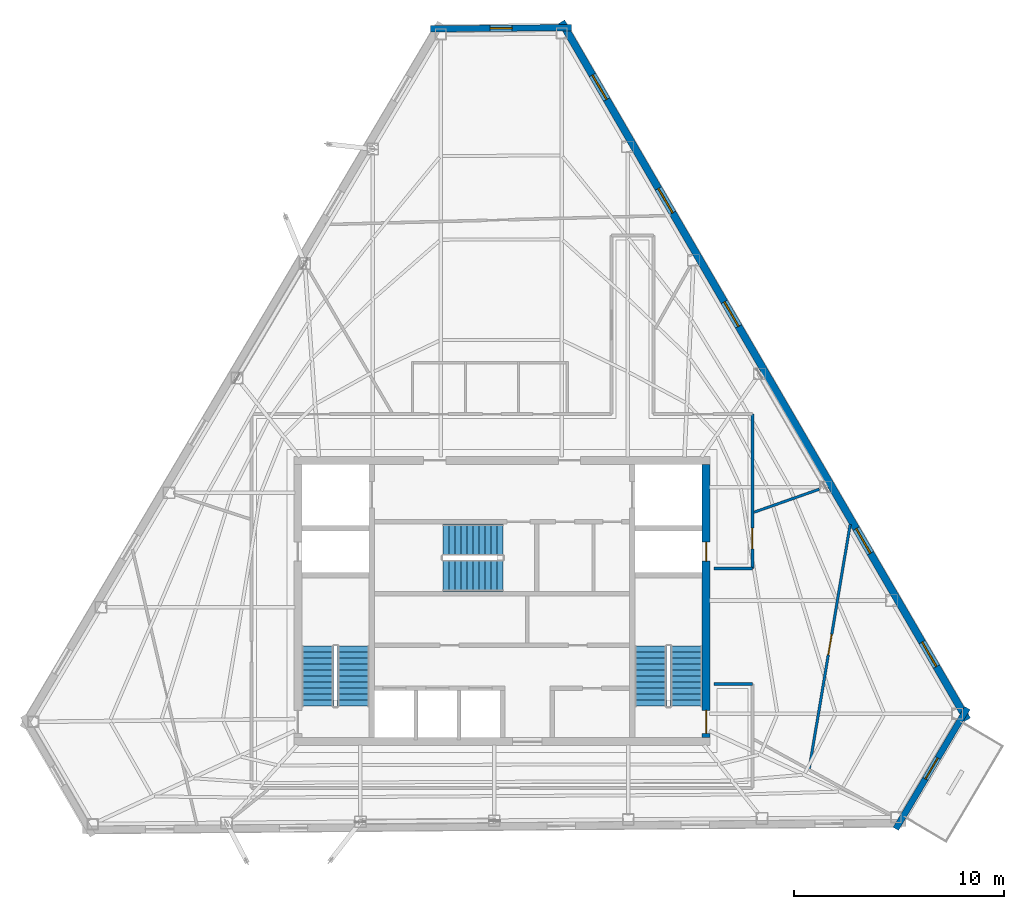
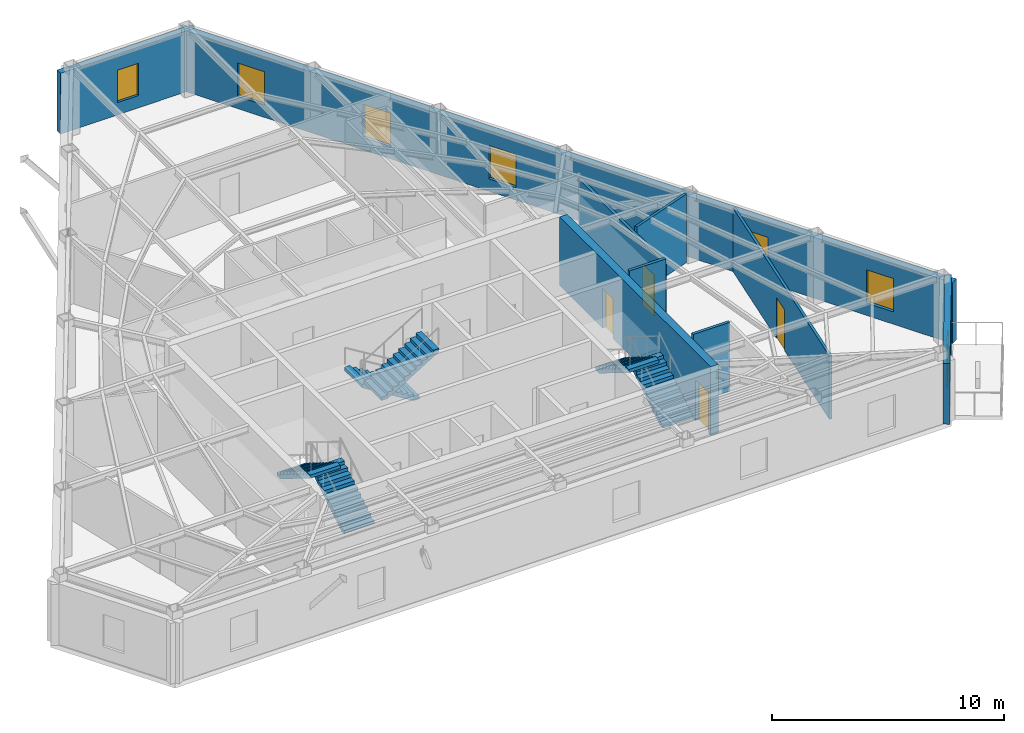
# One storey, part 8 of 10: 9 walls, 6 stair flights, 6 windows, 5 doors, 11 openings, 3 elements without a shape of their own.
"""IFC4 building model written with IfcOpenShell, lengths in metres."""

from ifc_helpers import new_model, si_unit, direction, frame, frame_2d, origin, place, context, subcontext, project, spatial, polyline, rectangle, outline, extrude, material, layer, layer_set, type_object, element, fill, aggregate, save


model = new_model("IFC4")

# Units and contexts
model_context = context("Model", 3, precision=1e-05, world=origin(), true_north=direction((0.0, 1.0)))
body_context = subcontext(model_context, "Body", "Model", "MODEL_VIEW")
ifc_project = project(units=[si_unit("LENGTHUNIT", "METRE"), si_unit("AREAUNIT", "SQUARE_METRE"), si_unit("VOLUMEUNIT", "CUBIC_METRE"), si_unit("PLANEANGLEUNIT", "RADIAN"), si_unit("MASSUNIT", "GRAM", prefix="KILO")], contexts=[model_context])

# Site, building, storey
site_placement = place(None, origin())
site = spatial("IfcSite", under=ifc_project, at=site_placement, CompositionType="ELEMENT")
building_placement = place(site_placement, origin())
building = spatial("IfcBuilding", under=site, at=building_placement, Name="Kavelnor Concourse Tower", CompositionType="ELEMENT")
storey_placement = place(building_placement, frame((0.0, 0.0, 281.85009765625)))
storey = spatial("IfcBuildingStorey", under=building, at=storey_placement, Name="L71", CompositionType="ELEMENT", Elevation=281.85009765625)

# Wall, openings, doors
ifc_material_1 = material(Name="Concrete C50/60", Category="concrete")
ifc_layer_1 = layer(ifc_material_1, 0.3798828125, Name="Concrete C50/60")
ifc_layer_set_1 = layer_set([ifc_layer_1], Name="Concrete C50/60")
wall_type_1 = type_object("IfcWallType", Name="WL-CORE-Z4-380", PredefinedType="SOLIDWALL", material=ifc_layer_set_1)
wall_1_placement = place(storey_placement, frame((47.7099609375, 9.60009765625, 0.0), z_axis=(0.0, 0.0, 1.0), x_axis=(0.0, 1.0, 0.0)))
wall_1 = element("IfcWall", 1, at=wall_1_placement, inside=storey, type_object=wall_type_1, Name="L71 Central Core East Shear Wall", PredefinedType="SOLIDWALL", context=body_context, shape_type="SweptSolid", body=[
    extrude(rectangle(XDim=13.0, YDim=0.3798828125, at=frame_2d((6.5, 0.0))), origin(), (0.0, 0.0, 1.0), 3.60986328125),
])
opening_1_placement = place(wall_1_placement, frame((0.199951171875, 0.0, 0.0)))
opening_1 = element("IfcOpeningElement", 2, at=opening_1_placement, cuts=wall_1, Name="Opening FD-110", PredefinedType="OPENING", context=body_context, shape_type="SweptSolid", body=[
    extrude(rectangle(XDim=1.10009765625, YDim=2.14990234375, at=frame_2d((0.550048828125, 1.074951171875))), frame((0.0, 0.199951171875, 0.0), z_axis=(0.0, -1.0, 0.0), x_axis=(1.0, 0.0, 0.0)), (0.0, 0.0, 1.0), 0.39990234375),
])
opening_2_placement = place(wall_1_placement, frame((8.39990234375, 0.0, 0.0)))
opening_2 = element("IfcOpeningElement", 3, at=opening_2_placement, cuts=wall_1, Name="Opening FD-090", PredefinedType="OPENING", context=body_context, shape_type="SweptSolid", body=[
    extrude(rectangle(XDim=0.89990234375, YDim=2.10009765625, at=frame_2d((0.449951171875, 1.050048828125))), frame((0.0, 0.199951171875, 0.0), z_axis=(0.0, -1.0, 0.0), x_axis=(1.0, 0.0, 0.0)), (0.0, 0.0, 1.0), 0.39990234375),
])
ifc_material_2 = material(Name="Steel Grade 350", Category="steel")
door_type_1 = type_object("IfcDoorType", Name="DR-RISER-FIRE-900", OperationType="NOTDEFINED", PredefinedType="DOOR", material=ifc_material_2)
door_1_placement = place(opening_2_placement, origin())
door_1 = element("IfcDoor", 4, at=door_1_placement, inside=storey, type_object=door_type_1, Name="L71 East Riser Access Door", OperationType="SINGLE_SWING_LEFT", OverallHeight=2.10009765625, OverallWidth=0.89990234375, PredefinedType="DOOR", context=body_context, shape_type="SweptSolid", body=[
    extrude(rectangle(XDim=0.89990234375, YDim=2.10009765625, at=frame_2d((0.449951171875, 1.050048828125))), frame((0.0, 0.02490234375, 0.0), z_axis=(0.0, -1.0, 0.0), x_axis=(1.0, 0.0, 0.0)), (0.0, 0.0, 1.0), 0.050048828125),
])
fill(opening_2, door_1)
door_type_2 = type_object("IfcDoorType", Name="DR-STAIR-FIRE-1100", OperationType="NOTDEFINED", PredefinedType="DOOR", material=ifc_material_2)
door_2_placement = place(opening_1_placement, origin())
door_2 = element("IfcDoor", 5, at=door_2_placement, inside=storey, type_object=door_type_2, Name="L71 Stair ST2 Fire Door", OperationType="SINGLE_SWING_RIGHT", OverallHeight=2.14990234375, OverallWidth=1.10009765625, PredefinedType="DOOR", context=body_context, shape_type="SweptSolid", body=[
    extrude(rectangle(XDim=1.10009765625, YDim=2.14990234375, at=frame_2d((0.550048828125, 1.074951171875))), frame((0.0, 0.02490234375, 0.0), z_axis=(0.0, -1.0, 0.0), x_axis=(1.0, 0.0, 0.0)), (0.0, 0.0, 1.0), 0.050048828125),
])
fill(opening_1, door_2)

# Wall, opening, window
ifc_material_3 = material(Name="Buff ironspot clay face brick masonry", Category="masonry")
ifc_layer_2 = layer(ifc_material_3, 0.300048828125, Name="Buff ironspot clay face brick masonry")
ifc_layer_set_2 = layer_set([ifc_layer_2], Name="Buff ironspot clay face brick masonry")
wall_type_2 = type_object("IfcWallType", Name="WL-EXT-BUFF-BRICK-FOLD-300", PredefinedType="STANDARD", material=ifc_layer_set_2)
wall_2_placement = place(storey_placement, frame((34.601806640625, 43.318603515625, 0.0), z_axis=(0.0, 0.0, 1.0), x_axis=(0.999965888342, 0.008259670208, 0.0)))
wall_2 = element("IfcWall", 6, at=wall_2_placement, inside=storey, type_object=wall_type_2, Name="L71 Exterior Brick Facade Wall E0", PredefinedType="STANDARD", context=body_context, shape_type="SweptSolid", body=[
    extrude(rectangle(XDim=6.709716796875, YDim=0.300048828125, at=frame_2d((3.35498046875, 0.0))), origin(), (0.0, 0.0, 1.0), 3.19580078125),
])
opening_3_placement = place(wall_2_placement, frame((2.829833984375, 0.0, 0.64990234375)))
opening_3 = element("IfcOpeningElement", 7, at=opening_3_placement, cuts=wall_2, Name="Opening W-06", PredefinedType="OPENING", context=body_context, shape_type="SweptSolid", body=[
    extrude(rectangle(XDim=1.050048828125, YDim=1.699951171875, at=frame_2d((0.52490234375, 0.85009765625))), frame((0.0, 0.16015625, 0.0), z_axis=(0.0, -1.0, 0.0), x_axis=(1.0, 0.0, 0.0)), (0.0, 0.0, 1.0), 0.320068359375),
])
ifc_material_4 = material(Name="Double low-E argon insulated glazing", Category="glass")
window_type_1 = type_object("IfcWindowType", Name="WIN-FOLD-1050", PartitioningType="SINGLE_PANEL", PredefinedType="WINDOW", material=ifc_material_4)
window_1_placement = place(opening_3_placement, origin())
window_1 = element("IfcWindow", 8, at=window_1_placement, inside=storey, type_object=window_type_1, Name="L71 Chamfer-Fold Facet Window C0", OverallHeight=1.699951171875, OverallWidth=1.050048828125, PartitioningType="SINGLE_PANEL", PredefinedType="WINDOW", context=body_context, shape_type="SweptSolid", body=[
    extrude(rectangle(XDim=1.050048828125, YDim=1.699951171875, at=frame_2d((0.52490234375, 0.85009765625))), frame((0.0, 0.030029296875, 0.0), z_axis=(0.0, -1.0, 0.0), x_axis=(1.0, 0.0, 0.0)), (0.0, 0.0, 1.0), 0.06005859375),
])
fill(opening_3, window_1)

# Wall, opening, door
wall_3_placement = place(storey_placement, frame((60.13525390625, 11.00634765625, 0.0), z_axis=(0.0, 0.0, 1.0), x_axis=(-0.509788358207, -0.860299848795, 0.0)))
wall_3 = element("IfcWall", 9, at=wall_3_placement, inside=storey, type_object=wall_type_2, Name="L71 Exterior Brick Facade Wall E4", PredefinedType="STANDARD", context=body_context, shape_type="SweptSolid", body=[
    extrude(rectangle(XDim=6.677001953125, YDim=0.300048828125, at=frame_2d((3.33837890625, 0.0))), origin(), (0.0, 0.0, 1.0), 3.19580078125),
])
opening_4_placement = place(wall_3_placement, frame((2.763427734375, 0.0, 0.0)))
opening_4 = element("IfcOpeningElement", 10, at=opening_4_placement, cuts=wall_3, Name="Opening TD-115", PredefinedType="OPENING", context=body_context, shape_type="SweptSolid", body=[
    extrude(rectangle(XDim=1.14990234375, YDim=2.199951171875, at=frame_2d((0.574951171875, 1.10009765625))), frame((0.0, 0.16015625, 0.0), z_axis=(0.0, -1.0, 0.0), x_axis=(1.0, 0.0, 0.0)), (0.0, 0.0, 1.0), 0.320068359375),
])
ifc_material_5 = material(Name="Anodised aluminium 6063-T6", Category="aluminium")
door_type_3 = type_object("IfcDoorType", Name="DR-TERRACE-EXT-1150", OperationType="NOTDEFINED", PredefinedType="DOOR", material=ifc_material_5)
door_3_placement = place(opening_4_placement, origin())
door_3 = element("IfcDoor", 11, at=door_3_placement, inside=storey, type_object=door_type_3, Name="L71 Spiral Sky Terrace Access Door", OperationType="SINGLE_SWING_RIGHT", OverallHeight=2.199951171875, OverallWidth=1.14990234375, PredefinedType="DOOR", context=body_context, shape_type="SweptSolid", body=[
    extrude(rectangle(XDim=1.14990234375, YDim=2.199951171875, at=frame_2d((0.574951171875, 1.10009765625))), frame((0.0, 0.02490234375, 0.0), z_axis=(0.0, -1.0, 0.0), x_axis=(1.0, 0.0, 0.0)), (0.0, 0.0, 1.0), 0.050048828125),
])
fill(opening_4, door_3)

# Wall, openings, windows
ifc_material_6 = material(Name="Red-ochre clay face brick masonry", Category="masonry")
ifc_layer_3 = layer(ifc_material_6, 0.35009765625, Name="Red-ochre clay face brick masonry")
ifc_layer_set_3 = layer_set([ifc_layer_3], Name="Red-ochre clay face brick masonry")
wall_type_3 = type_object("IfcWallType", Name="WL-EXT-RED-BRICK-PIER-350", PredefinedType="STANDARD", material=ifc_layer_set_3)
wall_4_placement = place(storey_placement, frame((40.827392578125, 43.649658203125, 0.0), z_axis=(0.0, 0.0, 1.0), x_axis=(0.502670175865, -0.864478278672, 0.0)))
wall_4 = element("IfcWall", 12, at=wall_4_placement, inside=storey, type_object=wall_type_3, Name="L71 Exterior Brick Facade Wall E5", PredefinedType="STANDARD", context=body_context, shape_type="SweptSolid", body=[
    extrude(rectangle(XDim=38.40576171875, YDim=0.35009765625, at=frame_2d((19.202880859375, 0.0))), origin(), (0.0, 0.0, 1.0), 3.19580078125),
])
opening_5_placement = place(wall_4_placement, frame((34.12841796875, 0.0, 0.64990234375)))
opening_5 = element("IfcOpeningElement", 13, at=opening_5_placement, cuts=wall_4, Name="Opening W-04", PredefinedType="OPENING", context=body_context, shape_type="SweptSolid", body=[
    extrude(rectangle(XDim=1.35009765625, YDim=1.75, at=frame_2d((0.675048828125, 0.875))), frame((0.0, 0.18505859375, 0.0), z_axis=(0.0, -1.0, 0.0), x_axis=(1.0, 0.0, 0.0)), (0.0, 0.0, 1.0), 0.3701171875),
])
opening_6_placement = place(wall_4_placement, frame((27.8876953125, 0.0, 0.64990234375)))
opening_6 = element("IfcOpeningElement", 14, at=opening_6_placement, cuts=wall_4, Name="Opening W-04", PredefinedType="OPENING", context=body_context, shape_type="SweptSolid", body=[
    extrude(rectangle(XDim=1.35009765625, YDim=1.75, at=frame_2d((0.675048828125, 0.875))), frame((0.0, 0.18505859375, 0.0), z_axis=(0.0, -1.0, 0.0), x_axis=(1.0, 0.0, 0.0)), (0.0, 0.0, 1.0), 0.3701171875),
])
opening_7_placement = place(wall_4_placement, frame((15.406005859375, 0.0, 0.64990234375)))
opening_7 = element("IfcOpeningElement", 15, at=opening_7_placement, cuts=wall_4, Name="Opening W-04", PredefinedType="OPENING", context=body_context, shape_type="SweptSolid", body=[
    extrude(rectangle(XDim=1.35009765625, YDim=1.75, at=frame_2d((0.675048828125, 0.875))), frame((0.0, 0.18505859375, 0.0), z_axis=(0.0, -1.0, 0.0), x_axis=(1.0, 0.0, 0.0)), (0.0, 0.0, 1.0), 0.3701171875),
])
opening_8_placement = place(wall_4_placement, frame((9.1650390625, 0.0, 0.64990234375)))
opening_8 = element("IfcOpeningElement", 16, at=opening_8_placement, cuts=wall_4, Name="Opening W-04", PredefinedType="OPENING", context=body_context, shape_type="SweptSolid", body=[
    extrude(rectangle(XDim=1.35009765625, YDim=1.75, at=frame_2d((0.675048828125, 0.875))), frame((0.0, 0.18505859375, 0.0), z_axis=(0.0, -1.0, 0.0), x_axis=(1.0, 0.0, 0.0)), (0.0, 0.0, 1.0), 0.3701171875),
])
opening_9_placement = place(wall_4_placement, frame((2.92431640625, 0.0, 0.64990234375)))
opening_9 = element("IfcOpeningElement", 17, at=opening_9_placement, cuts=wall_4, Name="Opening W-04", PredefinedType="OPENING", context=body_context, shape_type="SweptSolid", body=[
    extrude(rectangle(XDim=1.35009765625, YDim=1.75, at=frame_2d((0.675048828125, 0.875))), frame((0.0, 0.18505859375, 0.0), z_axis=(0.0, -1.0, 0.0), x_axis=(1.0, 0.0, 0.0)), (0.0, 0.0, 1.0), 0.3701171875),
])
window_type_2 = type_object("IfcWindowType", Name="WIN-PIER-Z4-1350", PartitioningType="SINGLE_PANEL", PredefinedType="WINDOW", material=ifc_material_4)
window_2_placement = place(opening_5_placement, origin())
window_2 = element("IfcWindow", 18, at=window_2_placement, inside=storey, type_object=window_type_2, Name="L71 Deep-Set Brick Pier Window F2-B0", OverallHeight=1.75, OverallWidth=1.35009765625, PartitioningType="SINGLE_PANEL", PredefinedType="WINDOW", context=body_context, shape_type="SweptSolid", body=[
    extrude(rectangle(XDim=1.35009765625, YDim=1.75, at=frame_2d((0.675048828125, 0.875))), frame((0.0, 0.030029296875, 0.0), z_axis=(0.0, -1.0, 0.0), x_axis=(1.0, 0.0, 0.0)), (0.0, 0.0, 1.0), 0.06005859375),
])
fill(opening_5, window_2)
window_3_placement = place(opening_6_placement, origin())
window_3 = element("IfcWindow", 19, at=window_3_placement, inside=storey, type_object=window_type_2, Name="L71 Deep-Set Brick Pier Window F2-B1", OverallHeight=1.75, OverallWidth=1.35009765625, PartitioningType="SINGLE_PANEL", PredefinedType="WINDOW", context=body_context, shape_type="SweptSolid", body=[
    extrude(rectangle(XDim=1.35009765625, YDim=1.75, at=frame_2d((0.675048828125, 0.875))), frame((0.0, 0.030029296875, 0.0), z_axis=(0.0, -1.0, 0.0), x_axis=(1.0, 0.0, 0.0)), (0.0, 0.0, 1.0), 0.06005859375),
])
fill(opening_6, window_3)
window_4_placement = place(opening_7_placement, origin())
window_4 = element("IfcWindow", 20, at=window_4_placement, inside=storey, type_object=window_type_2, Name="L71 Deep-Set Brick Pier Window F2-B3", OverallHeight=1.75, OverallWidth=1.35009765625, PartitioningType="SINGLE_PANEL", PredefinedType="WINDOW", context=body_context, shape_type="SweptSolid", body=[
    extrude(rectangle(XDim=1.35009765625, YDim=1.75, at=frame_2d((0.675048828125, 0.875))), frame((0.0, 0.030029296875, 0.0), z_axis=(0.0, -1.0, 0.0), x_axis=(1.0, 0.0, 0.0)), (0.0, 0.0, 1.0), 0.06005859375),
])
fill(opening_7, window_4)
window_5_placement = place(opening_8_placement, origin())
window_5 = element("IfcWindow", 21, at=window_5_placement, inside=storey, type_object=window_type_2, Name="L71 Deep-Set Brick Pier Window F2-B4", OverallHeight=1.75, OverallWidth=1.35009765625, PartitioningType="SINGLE_PANEL", PredefinedType="WINDOW", context=body_context, shape_type="SweptSolid", body=[
    extrude(rectangle(XDim=1.35009765625, YDim=1.75, at=frame_2d((0.675048828125, 0.875))), frame((0.0, 0.030029296875, 0.0), z_axis=(0.0, -1.0, 0.0), x_axis=(1.0, 0.0, 0.0)), (0.0, 0.0, 1.0), 0.06005859375),
])
fill(opening_8, window_5)
window_6_placement = place(opening_9_placement, origin())
window_6 = element("IfcWindow", 22, at=window_6_placement, inside=storey, type_object=window_type_2, Name="L71 Deep-Set Brick Pier Window F2-B5", OverallHeight=1.75, OverallWidth=1.35009765625, PartitioningType="SINGLE_PANEL", PredefinedType="WINDOW", context=body_context, shape_type="SweptSolid", body=[
    extrude(rectangle(XDim=1.35009765625, YDim=1.75, at=frame_2d((0.675048828125, 0.875))), frame((0.0, 0.030029296875, 0.0), z_axis=(0.0, -1.0, 0.0), x_axis=(1.0, 0.0, 0.0)), (0.0, 0.0, 1.0), 0.06005859375),
])
fill(opening_9, window_6)

# Wall, opening, door
ifc_material_7 = material(Name="Gypsum plasterboard on light-gauge steel studs", Category="steel")
ifc_layer_4 = layer(ifc_material_7, 0.14501953125, Name="Gypsum plasterboard on light-gauge steel studs")
ifc_layer_set_4 = layer_set([ifc_layer_4], Name="Gypsum plasterboard on light-gauge steel studs")
wall_type_4 = type_object("IfcWallType", Name="WL-INT-CORR-145", PredefinedType="PARTITIONING", material=ifc_layer_set_4)
wall_5_placement = place(storey_placement, frame((49.909912109375, 24.989990234375, 0.0), z_axis=(0.0, 0.0, 1.0), x_axis=(0.0, -1.0, 0.0)))
wall_5 = element("IfcWall", 23, at=wall_5_placement, inside=storey, type_object=wall_type_4, Name="L71 Corridor Wall WL-L71-CR-05", PredefinedType="PARTITIONING", context=body_context, shape_type="SweptSolid", body=[
    extrude(rectangle(XDim=7.340087890625, YDim=0.14501953125, at=frame_2d((3.669921875, 0.0))), origin(), (0.0, 0.0, 1.0), 3.348876953125),
])
opening_10_placement = place(wall_5_placement, frame((5.428955078125, 0.0, 0.0)))
opening_10 = element("IfcOpeningElement", 24, at=opening_10_placement, cuts=wall_5, Name="Opening OD-098", PredefinedType="OPENING", context=body_context, shape_type="SweptSolid", body=[
    extrude(rectangle(XDim=0.97998046875, YDim=2.14990234375, at=frame_2d((0.489990234375, 1.074951171875))), frame((0.0, 0.08251953125, 0.0), z_axis=(0.0, -1.0, 0.0), x_axis=(1.0, 0.0, 0.0)), (0.0, 0.0, 1.0), 0.1650390625),
])
ifc_material_8 = material(Name="Solid-core hardwood timber", Category="wood")
door_type_4 = type_object("IfcDoorType", Name="DR-OFFICE-980", OperationType="NOTDEFINED", PredefinedType="DOOR", material=ifc_material_8)
door_4_placement = place(opening_10_placement, origin())
door_4 = element("IfcDoor", 25, at=door_4_placement, inside=storey, type_object=door_type_4, Name="L71 Building Staff Breakroom 08 Door", OperationType="SINGLE_SWING_RIGHT", OverallHeight=2.14990234375, OverallWidth=0.97998046875, PredefinedType="DOOR", context=body_context, shape_type="SweptSolid", body=[
    extrude(rectangle(XDim=0.97998046875, YDim=2.14990234375, at=frame_2d((0.489990234375, 1.074951171875))), frame((0.0, 0.02490234375, 0.0), z_axis=(0.0, -1.0, 0.0), x_axis=(1.0, 0.0, 0.0)), (0.0, 0.0, 1.0), 0.050048828125),
])
fill(opening_10, door_4)

# Walls
for number, where, z_axis, x_axis, name in (
    (26, (49.909912109375, 17.64990234375, 0.0), (0.0, 0.0, 1.0), (-1.0, 0.0, 0.0), "L71 Corridor Wall WL-L71-CR-06"),
    (27, (48.090087890625, 12.14990234375, 0.0), (0.0, 0.0, 1.0), (1.0, 0.0, 0.0), "L71 Corridor Wall WL-L71-CR-07"),
):
    element("IfcWall", number, at=place(storey_placement, frame(where, z_axis=z_axis, x_axis=x_axis)), inside=storey, type_object=wall_type_4, Name=name, PredefinedType="PARTITIONING", context=body_context, shape_type="SweptSolid", body=[
        extrude(rectangle(XDim=1.81982421875, YDim=0.14501953125, at=frame_2d((0.909912109375, 0.0))), origin(), (0.0, 0.0, 1.0), 3.60986328125),
    ])
ifc_layer_5 = layer(ifc_material_7, 0.125, Name="Gypsum plasterboard on light-gauge steel studs")
ifc_layer_set_5 = layer_set([ifc_layer_5], Name="Gypsum plasterboard on light-gauge steel studs")
wall_type_5 = type_object("IfcWallType", Name="WL-INT-SUITE-125", PredefinedType="PARTITIONING", material=ifc_layer_set_5)
wall_6_placement = place(storey_placement, frame((49.990478515625, 20.324462890625, 0.0), z_axis=(0.0, 0.0, 1.0), x_axis=(0.943184604902, 0.332269169613, 0.0)))
element("IfcWall", 28, at=wall_6_placement, inside=storey, type_object=wall_type_5, Name="L71 Radial Suite Partition 01", PredefinedType="PARTITIONING", context=body_context, shape_type="SweptSolid", body=[
    extrude(rectangle(XDim=3.291748046875, YDim=0.125, at=frame_2d((1.64599609375, 0.0))), origin(), (0.0, 0.0, 1.0), 3.60986328125),
])

# Wall, opening, door
wall_7_placement = place(storey_placement, frame((52.6064453125, 8.092529296875, 0.0), z_axis=(0.0, 0.0, 1.0), x_axis=(0.165341157719, 0.986236432892, 0.0)))
wall_7 = element("IfcWall", 29, at=wall_7_placement, inside=storey, type_object=wall_type_5, Name="L71 Suite Subdivision Partition 06", PredefinedType="PARTITIONING", context=body_context, shape_type="SweptSolid", body=[
    extrude(rectangle(XDim=11.806884765625, YDim=0.125, at=frame_2d((5.9033203125, 0.0))), origin(), (0.0, 0.0, 1.0), 3.348876953125),
])
opening_11_placement = place(wall_7_placement, frame((5.523193359375, 0.0, 0.0)))
opening_11 = element("IfcOpeningElement", 30, at=opening_11_placement, cuts=wall_7, Name="Opening OD-098", PredefinedType="OPENING", context=body_context, shape_type="SweptSolid", body=[
    extrude(rectangle(XDim=0.97998046875, YDim=2.14990234375, at=frame_2d((0.489990234375, 1.074951171875))), frame((0.0, 0.072509765625, 0.0), z_axis=(0.0, -1.0, 0.0), x_axis=(1.0, 0.0, 0.0)), (0.0, 0.0, 1.0), 0.14501953125),
])
door_5_placement = place(opening_11_placement, origin())
door_5 = element("IfcDoor", 31, at=door_5_placement, inside=storey, type_object=door_type_4, Name="L71 Architectural Design Studio 09 Door", OperationType="SINGLE_SWING_LEFT", OverallHeight=2.14990234375, OverallWidth=0.97998046875, PredefinedType="DOOR", context=body_context, shape_type="SweptSolid", body=[
    extrude(rectangle(XDim=0.97998046875, YDim=2.14990234375, at=frame_2d((0.489990234375, 1.074951171875))), frame((0.0, 0.02490234375, 0.0), z_axis=(0.0, -1.0, 0.0), x_axis=(1.0, 0.0, 0.0)), (0.0, 0.0, 1.0), 0.050048828125),
])
fill(opening_11, door_5)

# Stair, stair flights
ifc_material_9 = material(Name="Concrete C40/50", Category="concrete")
stair_type = type_object("IfcStairType", Name="STR-CORE-1500", PredefinedType="HALF_TURN_STAIR", material=ifc_material_9)
stair_1_placement = place(storey_placement, origin())
stair_1 = element("IfcStair", 32, at=stair_1_placement, inside=storey, type_object=stair_type, Name="L71 ST1", PredefinedType="HALF_TURN_STAIR")
stair_flight_type = type_object("IfcStairFlightType", Name="STR-FLIGHT-1500", PredefinedType="STRAIGHT", material=ifc_material_9)
stair_flight_1_placement = place(storey_placement, frame((30.929931640625, 11.10009765625, 0.0), z_axis=(0.0, 0.0, 1.0), x_axis=(0.0, 1.0, 0.0)))
stair_flight_1 = element("IfcStairFlight", 33, at=stair_flight_1_placement, type_object=stair_flight_type, Name="ST1 flight 1", NumberOfRisers=11, NumberOfTreads=10, PredefinedType="STRAIGHT", RiserHeight=0.175, TreadLength=0.285, context=body_context, shape_type="SweptSolid", body=[
    extrude(outline(polyline([(0.0, 0.0), (0.0, 0.175048828125), (0.284912109375, 0.175048828125), (0.284912109375, 0.35009765625), (0.570068359375, 0.35009765625), (0.570068359375, 0.52490234375), (0.85498046875, 0.52490234375), (0.85498046875, 0.699951171875), (1.139892578125, 0.699951171875), (1.139892578125, 0.875), (1.425048828125, 0.875), (1.425048828125, 1.050048828125), (1.7099609375, 1.050048828125), (1.7099609375, 1.22509765625), (1.9951171875, 1.22509765625), (1.9951171875, 1.39990234375), (2.280029296875, 1.39990234375), (2.280029296875, 1.574951171875), (2.56494140625, 1.574951171875), (2.56494140625, 1.75), (2.85009765625, 1.75), (2.85009765625, 1.925048828125), (2.85009765625, 1.573974609375), (0.286376953125, 0.0), (0.0, 0.0)])), frame((0.0, 0.75, 0.0), z_axis=(0.0, -1.0, 0.0), x_axis=(1.0, 0.0, 0.0)), (0.0, 0.0, 1.0), 1.5),
])
stair_flight_2_placement = place(storey_placement, frame((29.22998046875, 13.949951171875, 1.9248046875), z_axis=(0.0, 0.0, 1.0), x_axis=(0.0, -1.0, 0.0)))
stair_flight_2 = element("IfcStairFlight", 34, at=stair_flight_2_placement, type_object=stair_flight_type, Name="ST1 flight 2", NumberOfRisers=11, NumberOfTreads=10, PredefinedType="STRAIGHT", RiserHeight=0.175, TreadLength=0.285, context=body_context, shape_type="SweptSolid", body=[
    extrude(outline(polyline([(0.0, 0.0), (0.0, 0.175048828125), (0.284912109375, 0.175048828125), (0.284912109375, 0.35009765625), (0.570068359375, 0.35009765625), (0.570068359375, 0.52490234375), (0.85498046875, 0.52490234375), (0.85498046875, 0.699951171875), (1.139892578125, 0.699951171875), (1.139892578125, 0.875), (1.425048828125, 0.875), (1.425048828125, 1.050048828125), (1.7099609375, 1.050048828125), (1.7099609375, 1.22509765625), (1.9951171875, 1.22509765625), (1.9951171875, 1.39990234375), (2.280029296875, 1.39990234375), (2.280029296875, 1.574951171875), (2.56494140625, 1.574951171875), (2.56494140625, 1.75), (2.85009765625, 1.75), (2.85009765625, 1.925048828125), (2.85009765625, 1.573974609375), (0.286376953125, 0.0), (0.0, 0.0)])), frame((0.0, 0.75, 0.0), z_axis=(0.0, -1.0, 0.0), x_axis=(1.0, 0.0, 0.0)), (0.0, 0.0, 1.0), 1.5),
])
aggregate(stair_1, [stair_flight_1, stair_flight_2])

stair_2_placement = place(storey_placement, origin())
stair_2 = element("IfcStair", 35, at=stair_2_placement, inside=storey, type_object=stair_type, Name="L71 ST2", PredefinedType="HALF_TURN_STAIR")
stair_flight_3_placement = place(storey_placement, frame((46.77001953125, 11.10009765625, 0.0), z_axis=(0.0, 0.0, 1.0), x_axis=(0.0, 1.0, 0.0)))
stair_flight_3 = element("IfcStairFlight", 36, at=stair_flight_3_placement, type_object=stair_flight_type, Name="ST2 flight 1", NumberOfRisers=11, NumberOfTreads=10, PredefinedType="STRAIGHT", RiserHeight=0.175, TreadLength=0.285, context=body_context, shape_type="SweptSolid", body=[
    extrude(outline(polyline([(0.0, 0.0), (0.0, 0.175048828125), (0.284912109375, 0.175048828125), (0.284912109375, 0.35009765625), (0.570068359375, 0.35009765625), (0.570068359375, 0.52490234375), (0.85498046875, 0.52490234375), (0.85498046875, 0.699951171875), (1.139892578125, 0.699951171875), (1.139892578125, 0.875), (1.425048828125, 0.875), (1.425048828125, 1.050048828125), (1.7099609375, 1.050048828125), (1.7099609375, 1.22509765625), (1.9951171875, 1.22509765625), (1.9951171875, 1.39990234375), (2.280029296875, 1.39990234375), (2.280029296875, 1.574951171875), (2.56494140625, 1.574951171875), (2.56494140625, 1.75), (2.85009765625, 1.75), (2.85009765625, 1.925048828125), (2.85009765625, 1.573974609375), (0.286376953125, 0.0), (0.0, 0.0)])), frame((0.0, 0.75, 0.0), z_axis=(0.0, -1.0, 0.0), x_axis=(1.0, 0.0, 0.0)), (0.0, 0.0, 1.0), 1.5),
])
stair_flight_4_placement = place(storey_placement, frame((45.070068359375, 13.949951171875, 1.9248046875), z_axis=(0.0, 0.0, 1.0), x_axis=(0.0, -1.0, 0.0)))
stair_flight_4 = element("IfcStairFlight", 37, at=stair_flight_4_placement, type_object=stair_flight_type, Name="ST2 flight 2", NumberOfRisers=11, NumberOfTreads=10, PredefinedType="STRAIGHT", RiserHeight=0.175, TreadLength=0.285, context=body_context, shape_type="SweptSolid", body=[
    extrude(outline(polyline([(0.0, 0.0), (0.0, 0.175048828125), (0.284912109375, 0.175048828125), (0.284912109375, 0.35009765625), (0.570068359375, 0.35009765625), (0.570068359375, 0.52490234375), (0.85498046875, 0.52490234375), (0.85498046875, 0.699951171875), (1.139892578125, 0.699951171875), (1.139892578125, 0.875), (1.425048828125, 0.875), (1.425048828125, 1.050048828125), (1.7099609375, 1.050048828125), (1.7099609375, 1.22509765625), (1.9951171875, 1.22509765625), (1.9951171875, 1.39990234375), (2.280029296875, 1.39990234375), (2.280029296875, 1.574951171875), (2.56494140625, 1.574951171875), (2.56494140625, 1.75), (2.85009765625, 1.75), (2.85009765625, 1.925048828125), (2.85009765625, 1.573974609375), (0.286376953125, 0.0), (0.0, 0.0)])), frame((0.0, 0.75, 0.0), z_axis=(0.0, -1.0, 0.0), x_axis=(1.0, 0.0, 0.0)), (0.0, 0.0, 1.0), 1.5),
])
aggregate(stair_2, [stair_flight_3, stair_flight_4])

stair_3_placement = place(storey_placement, origin())
stair_3 = element("IfcStair", 38, at=stair_3_placement, inside=storey, type_object=stair_type, Name="L71 ST3", PredefinedType="HALF_TURN_STAIR")
stair_flight_5_placement = place(storey_placement, frame((38.0400390625, 19.010009765625, 0.0), z_axis=(0.0, 0.0, 1.0), x_axis=(-1.0, 0.0, 0.0)))
stair_flight_5 = element("IfcStairFlight", 39, at=stair_flight_5_placement, type_object=stair_flight_type, Name="ST3 flight 1", NumberOfRisers=11, NumberOfTreads=10, PredefinedType="STRAIGHT", RiserHeight=0.175, TreadLength=0.285, context=body_context, shape_type="SweptSolid", body=[
    extrude(outline(polyline([(0.0, 0.0), (0.0, 0.175048828125), (0.284912109375, 0.175048828125), (0.284912109375, 0.35009765625), (0.570068359375, 0.35009765625), (0.570068359375, 0.52490234375), (0.85498046875, 0.52490234375), (0.85498046875, 0.699951171875), (1.139892578125, 0.699951171875), (1.139892578125, 0.875), (1.425048828125, 0.875), (1.425048828125, 1.050048828125), (1.7099609375, 1.050048828125), (1.7099609375, 1.22509765625), (1.9951171875, 1.22509765625), (1.9951171875, 1.39990234375), (2.280029296875, 1.39990234375), (2.280029296875, 1.574951171875), (2.56494140625, 1.574951171875), (2.56494140625, 1.75), (2.85009765625, 1.75), (2.85009765625, 1.925048828125), (2.85009765625, 1.573974609375), (0.286376953125, 0.0), (0.0, 0.0)])), frame((0.0, 0.75, 0.0), z_axis=(0.0, -1.0, 0.0), x_axis=(1.0, 0.0, 0.0)), (0.0, 0.0, 1.0), 1.5),
])
stair_flight_6_placement = place(storey_placement, frame((35.18994140625, 17.31005859375, 1.9248046875), z_axis=(0.0, 0.0, 1.0), x_axis=(1.0, 0.0, 0.0)))
stair_flight_6 = element("IfcStairFlight", 40, at=stair_flight_6_placement, type_object=stair_flight_type, Name="ST3 flight 2", NumberOfRisers=11, NumberOfTreads=10, PredefinedType="STRAIGHT", RiserHeight=0.175, TreadLength=0.285, context=body_context, shape_type="SweptSolid", body=[
    extrude(outline(polyline([(0.0, 0.0), (0.0, 0.175048828125), (0.284912109375, 0.175048828125), (0.284912109375, 0.35009765625), (0.570068359375, 0.35009765625), (0.570068359375, 0.52490234375), (0.85498046875, 0.52490234375), (0.85498046875, 0.699951171875), (1.139892578125, 0.699951171875), (1.139892578125, 0.875), (1.425048828125, 0.875), (1.425048828125, 1.050048828125), (1.7099609375, 1.050048828125), (1.7099609375, 1.22509765625), (1.9951171875, 1.22509765625), (1.9951171875, 1.39990234375), (2.280029296875, 1.39990234375), (2.280029296875, 1.574951171875), (2.56494140625, 1.574951171875), (2.56494140625, 1.75), (2.85009765625, 1.75), (2.85009765625, 1.925048828125), (2.85009765625, 1.573974609375), (0.286376953125, 0.0), (0.0, 0.0)])), frame((0.0, 0.75, 0.0), z_axis=(0.0, -1.0, 0.0), x_axis=(1.0, 0.0, 0.0)), (0.0, 0.0, 1.0), 1.5),
])
aggregate(stair_3, [stair_flight_5, stair_flight_6])

save(model, "model.ifc")
